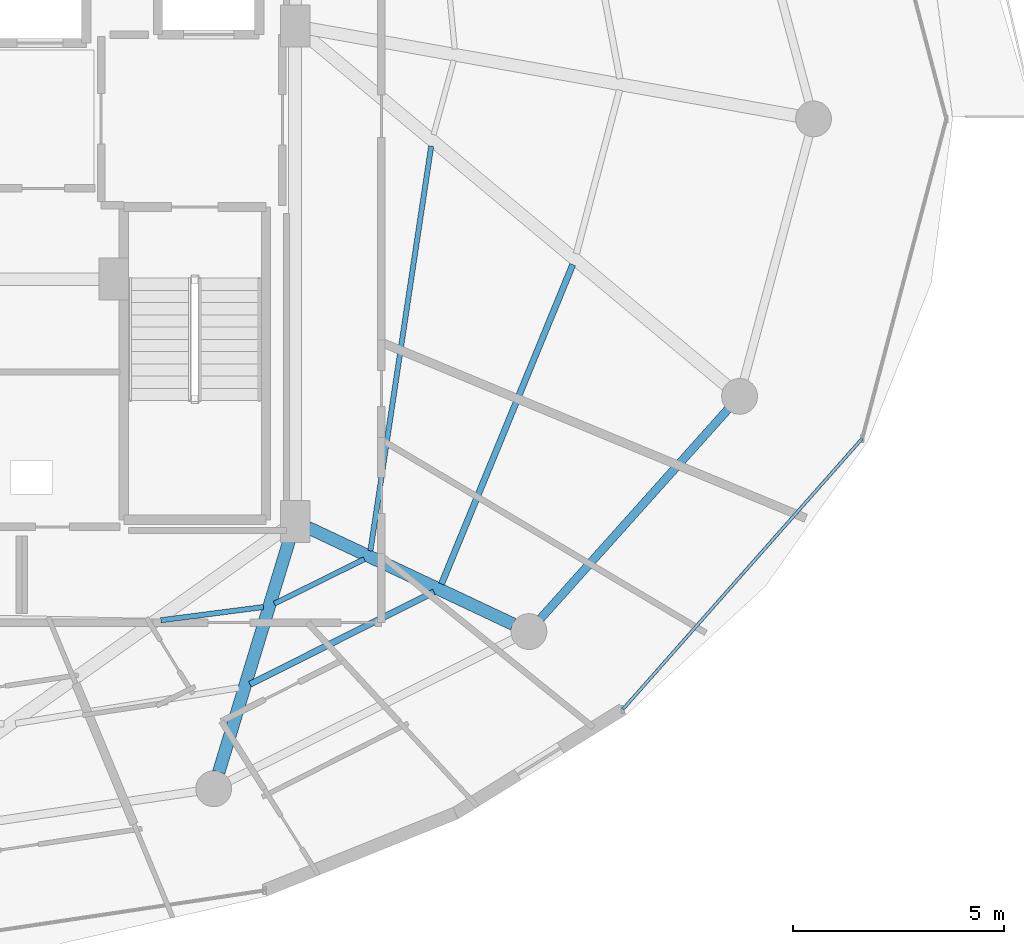
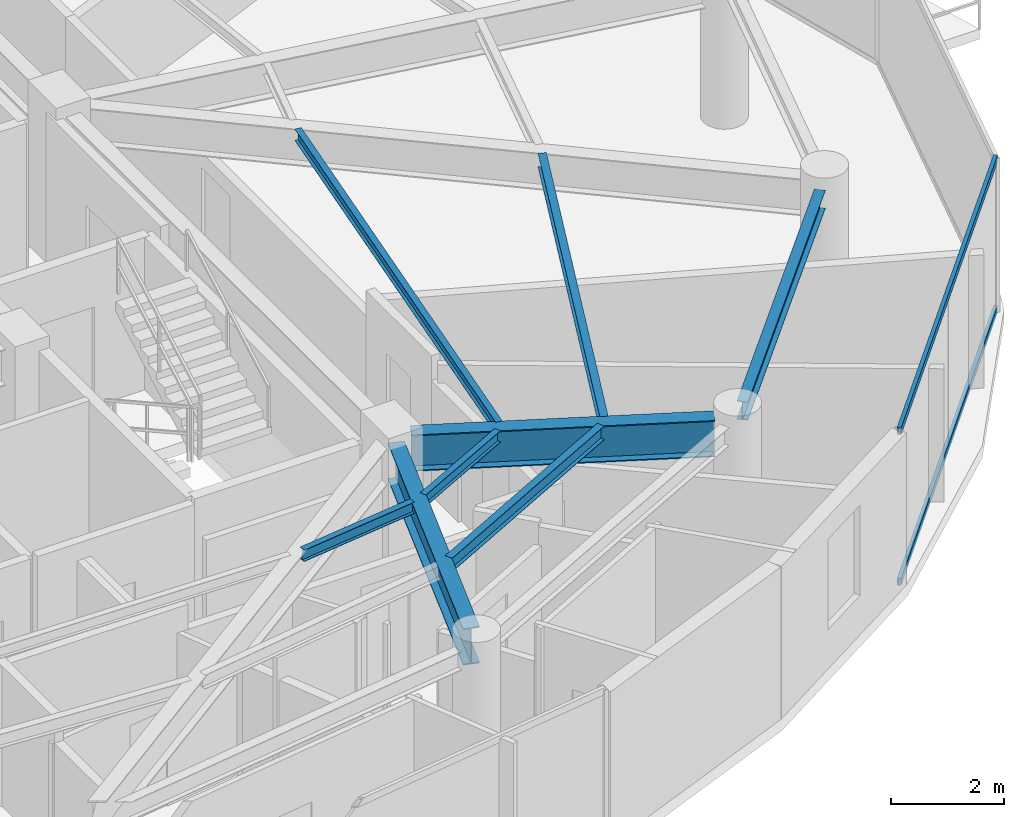
# One storey, part 12 of 31: 8 beams, 2 members, 1 element without a shape of its own.
"""IFC4 building model written with IfcOpenShell, lengths in metres."""

import ifcopenshell
import ifcopenshell.guid

model = None  # the IFC model being written
_history = None  # IfcOwnerHistory: only IFC2X3 demands one
_inside = {}  # id of a spatial element -> (the spatial element, [elements in it])
_under = {}  # id of a project, library or spatial element -> (it, [spatial elements below it])
_declared = {}  # id of a project -> (the project, [libraries it declares])
_typed = {}  # id of a type object -> (the type object, [elements of that type])
_made_of = {}  # id of a material, layer set ... -> (it, [elements and type objects made of it])


def new_model(schema):
    """Start an empty IFC model of exactly this schema.

    Asked for "IFC4X3", IfcOpenShell would pick the latest addendum, in which some entities
    have other attributes; the version numbers below select the first issue.
    IFC2X3 requires an IfcOwnerHistory on every rooted entity: one is made here for all.
    """
    global model, _history
    if schema == "IFC4X3":
        model = ifcopenshell.file(schema_version=(4, 3, 0, 0))
    else:
        model = ifcopenshell.file(schema=schema)
    _inside.clear()
    _under.clear()
    _declared.clear()
    _typed.clear()
    _made_of.clear()
    _history = None
    if model.schema == "IFC2X3":
        org = make("IfcOrganization", Name="unknown")
        user = make(
            "IfcPersonAndOrganization",
            ThePerson=make("IfcPerson", FamilyName="unknown"),
            TheOrganization=org,
        )
        app = make(
            "IfcApplication",
            ApplicationDeveloper=org,
            Version="unknown",
            ApplicationFullName="unknown",
            ApplicationIdentifier="unknown",
        )
        _history = make(
            "IfcOwnerHistory",
            OwningUser=user,
            OwningApplication=app,
            ChangeAction="ADDED",
            CreationDate=0,
        )
    return model


def make(cls, **values):
    """One entity of the class cls with the attributes given. An attribute that is None is left unset."""
    return model.create_entity(
        cls, **{name: value for name, value in values.items() if value is not None}
    )


def rooted(cls, **values):
    """An entity with a GlobalId (a new one), such as an element, a storey or a relation."""
    return make(cls, GlobalId=ifcopenshell.guid.new(), OwnerHistory=_history, **values)


def si_unit(unit_type, name, prefix=None):
    """IfcSIUnit, for example si_unit("LENGTHUNIT", "METRE", prefix="MILLI")."""
    return make("IfcSIUnit", UnitType=unit_type, Prefix=prefix, Name=name)


def assignment(units):
    """IfcUnitAssignment: the units of a project."""
    return None if units is None else make("IfcUnitAssignment", Units=units)


def point(xyz):
    """IfcCartesianPoint."""
    return None if xyz is None else make("IfcCartesianPoint", Coordinates=xyz)


def direction(xyz):
    """IfcDirection."""
    return None if xyz is None else make("IfcDirection", DirectionRatios=xyz)


def frame(location, z_axis=None, x_axis=None):
    """IfcAxis2Placement3D, a coordinate frame: its origin and axes. An axis left out is left unset."""
    return make(
        "IfcAxis2Placement3D",
        Location=point(location),
        Axis=direction(z_axis),
        RefDirection=direction(x_axis),
    )


def frame_2d(location, x_axis=None):
    """IfcAxis2Placement2D, a coordinate frame in the plane: its origin and x axis."""
    return make(
        "IfcAxis2Placement2D", Location=point(location), RefDirection=direction(x_axis)
    )


def origin():
    """The frame at (0, 0, 0) with its axes left unset."""
    return frame((0.0, 0.0, 0.0))


def origin_2d():
    """The frame at (0, 0) in the plane with its x axis left unset."""
    return frame_2d((0.0, 0.0))


def place(relative_to, where):
    """IfcLocalPlacement: puts the frame where relative to a parent placement (None: the world)."""
    return make(
        "IfcLocalPlacement", PlacementRelTo=relative_to, RelativePlacement=where
    )


def context(
    kind, dimensions, precision=None, world=None, true_north=None, identifier=None
):
    """IfcGeometricRepresentationContext, for example the 3D "Model" context."""
    return make(
        "IfcGeometricRepresentationContext",
        ContextIdentifier=identifier,
        ContextType=kind,
        CoordinateSpaceDimension=dimensions,
        Precision=precision,
        WorldCoordinateSystem=world,
        TrueNorth=true_north,
    )


def subcontext(parent, identifier, kind, view, scale=None):
    """IfcGeometricRepresentationSubContext, for example "Body" below "Model"."""
    return make(
        "IfcGeometricRepresentationSubContext",
        ContextIdentifier=identifier,
        ContextType=kind,
        ParentContext=parent,
        TargetScale=scale,
        TargetView=view,
    )


def project(units=None, contexts=None):
    """IfcProject with its units and contexts."""
    return rooted(
        "IfcProject",
        Name="project",
        RepresentationContexts=contexts,
        UnitsInContext=assignment(units),
    )


def spatial(cls, under=None, at=None, **own):
    """A site, building, storey or space (cls), placed at a placement, below another one or the project."""
    s = rooted(cls, ObjectPlacement=at, **own)
    if under is not None:
        _under.setdefault(under.id(), (under, []))[1].append(s)
    return s


def profile(cls, at=None, kind="AREA", **sizes):
    """A parametric profile (cls). Its sizes go by their IFC names, for example OverallWidth=200.0."""
    return make(cls, ProfileType=kind, Position=at, **sizes)


def hollow_rectangle(**sizes):
    """IfcRectangleHollowProfileDef."""
    return profile("IfcRectangleHollowProfileDef", **sizes)


def i_section(**sizes):
    """IfcIShapeProfileDef."""
    return profile("IfcIShapeProfileDef", **sizes)


def extrude(swept, where, along, depth):
    """IfcExtrudedAreaSolid: the profile swept, set in the frame where, extruded along a direction by depth."""
    return make(
        "IfcExtrudedAreaSolid",
        SweptArea=swept,
        Position=where,
        ExtrudedDirection=direction(along),
        Depth=depth,
    )


def shape(context_of_items, identifier, shape_type, items):
    """IfcShapeRepresentation: the items that make up one representation, for example the "Body"."""
    return make(
        "IfcShapeRepresentation",
        ContextOfItems=context_of_items,
        RepresentationIdentifier=identifier,
        RepresentationType=shape_type,
        Items=items,
    )


def material(Name=None, Category=None):
    """IfcMaterial."""
    return make("IfcMaterial", Name=Name, Category=Category)


def material_profile(
    of_material, cross_section, Name=None, Category=None, Priority=None
):
    """IfcMaterialProfile: a cross section and its material."""
    return make(
        "IfcMaterialProfile",
        Name=Name,
        Material=of_material,
        Profile=cross_section,
        Priority=Priority,
        Category=Category,
    )


def profile_set(profiles, Name=None, composite=None):
    """IfcMaterialProfileSet."""
    return make(
        "IfcMaterialProfileSet",
        Name=Name,
        MaterialProfiles=profiles,
        CompositeProfile=composite,
    )


def made_of(thing, what):
    """Note that an element or type object is made of a material, layer set ...; save() writes the relation."""
    if what is not None:
        _made_of.setdefault(what.id(), (what, []))[1].append(thing)
    return thing


def type_object(cls, material=None, **own):
    """A type object (cls), such as IfcWallType, which elements share."""
    return made_of(rooted(cls, **own), material)


def element(
    cls,
    number,
    at=None,
    inside=None,
    cuts=None,
    type_object=None,
    material=None,
    context=None,
    identifier="Body",
    shape_type=None,
    held_by="IfcProductDefinitionShape",
    body=None,
    shapes=None,
    **own,
):
    """One element of the class cls, such as IfcWall. Its Tag is "e" and its number.

    at: its placement. inside: the storey or other place that contains it. cuts: it is an
    opening in that element (IfcRelVoidsElement). A single representation is given by context,
    identifier, shape_type and body (its items); several are given by shapes. held_by: the class
    of the entity that holds the representations. save() writes the other relations.
    """
    e = rooted(cls, Tag="e%d" % number, ObjectPlacement=at, **own)
    if body is not None:
        shapes = [shape(context, identifier, shape_type, body)]
    if shapes is not None:
        e.Representation = make(held_by, Representations=shapes)
    if inside is not None:
        _inside.setdefault(inside.id(), (inside, []))[1].append(e)
    if cuts is not None:
        rooted(
            "IfcRelVoidsElement", RelatingBuildingElement=cuts, RelatedOpeningElement=e
        )
    if type_object is not None:
        _typed.setdefault(type_object.id(), (type_object, []))[1].append(e)
    return made_of(e, material)


def aggregate(whole, parts):
    """IfcRelAggregates: a whole, such as a stair, and the parts it consists of."""
    return rooted("IfcRelAggregates", RelatingObject=whole, RelatedObjects=parts)


def save(model, path):
    """Write the relations noted so far, then the file.

    IfcRelAggregates (storeys below a building ...), IfcRelContainedInSpatialStructure (elements
    in a storey), IfcRelDefinesByType, IfcRelAssociatesMaterial and IfcRelDeclares: one each for
    every whole, place, type object, material and project.
    """
    for whole, parts in _under.values():
        aggregate(whole, parts)
    for where, things in _inside.values():
        rooted(
            "IfcRelContainedInSpatialStructure",
            RelatedElements=things,
            RelatingStructure=where,
        )
    for kind, things in _typed.values():
        rooted("IfcRelDefinesByType", RelatedObjects=things, RelatingType=kind)
    for what, things in _made_of.values():
        rooted("IfcRelAssociatesMaterial", RelatedObjects=things, RelatingMaterial=what)
    for by, libraries in _declared.values():
        rooted("IfcRelDeclares", RelatingContext=by, RelatedDefinitions=libraries)
    model.write(path)


model = new_model("IFC4")

# Units and contexts
model_context = context("Model", 3, precision=1e-05, world=origin(), true_north=direction((0.0, 1.0)))
body_context = subcontext(model_context, "Body", "Model", "MODEL_VIEW")
ifc_project = project(units=[si_unit("LENGTHUNIT", "METRE"), si_unit("AREAUNIT", "SQUARE_METRE"), si_unit("VOLUMEUNIT", "CUBIC_METRE"), si_unit("PLANEANGLEUNIT", "RADIAN"), si_unit("MASSUNIT", "GRAM", prefix="KILO")], contexts=[model_context])

# Site, building, storey
site_placement = place(None, origin())
site = spatial("IfcSite", under=ifc_project, at=site_placement, CompositionType="ELEMENT")
building_placement = place(site_placement, origin())
building = spatial("IfcBuilding", under=site, at=building_placement, Name="Vorneva Point Tower", CompositionType="ELEMENT")
storey_placement = place(building_placement, frame((0.0, 0.0, 244.89990234375)))
storey = spatial("IfcBuildingStorey", under=building, at=storey_placement, Name="L66", CompositionType="ELEMENT", Elevation=244.89990234375)

# Beams
ifc_material_1 = material(Name="Steel S355", Category="steel")
ifc_material_profile_1 = material_profile(ifc_material_1, i_section(OverallWidth=0.300048828125, OverallDepth=0.7880859375, WebThickness=0.014404296875, FlangeThickness=0.02197265625, at=origin_2d()), Name="80Sh1")
ifc_profile_set_1 = profile_set([ifc_material_profile_1], Name="Steel S355")
beam_type_1 = type_object("IfcBeamType", Name="BM-GRD-80Sh1", PredefinedType="USERDEFINED", material=ifc_profile_set_1)
beam_1_placement = place(storey_placement, frame((46.941162109375, 10.50439453125, 2.89599609375), z_axis=(0.291032624293, 0.956713129207, 0.0), x_axis=(-0.956713129207, 0.291032624293, 0.0)))
element("IfcBeam", 1, at=beam_1_placement, inside=storey, type_object=beam_type_1, Name="L66 Radial Primary Girder 14", ObjectType="GIRDER", PredefinedType="USERDEFINED", context=body_context, shape_type="SweptSolid", body=[
    extrude(i_section(OverallWidth=0.300048828125, OverallDepth=0.7880859375, WebThickness=0.014404296875, FlangeThickness=0.02197265625, at=origin_2d()), origin(), (0.0, 0.0, 1.0), 5.874755859375),
])
beam_2_placement = place(storey_placement, frame((53.925048828125, 14.013671875, 2.89599609375), z_axis=(-0.904750812805, 0.425941271455, 0.0), x_axis=(-0.425941271455, -0.904750812805, 0.0)))
element("IfcBeam", 2, at=beam_2_placement, inside=storey, type_object=beam_type_1, Name="L66 Radial Primary Girder 15", ObjectType="GIRDER", PredefinedType="USERDEFINED", context=body_context, shape_type="SweptSolid", body=[
    extrude(i_section(OverallWidth=0.300048828125, OverallDepth=0.7880859375, WebThickness=0.014404296875, FlangeThickness=0.02197265625, at=origin_2d()), origin(), (0.0, 0.0, 1.0), 5.3798828125),
])
ifc_material_profile_2 = material_profile(ifc_material_1, i_section(OverallWidth=0.1240234375, OverallDepth=0.248046875, WebThickness=0.0048828125, FlangeThickness=0.008056640625, at=origin_2d()), Name="25B1")
ifc_profile_set_2 = profile_set([ifc_material_profile_2], Name="Steel S355")
beam_type_2 = type_object("IfcBeamType", Name="BM-JST-25B1", PredefinedType="JOIST", material=ifc_profile_set_2)
beam_3_placement = place(storey_placement, frame((45.56884765625, 14.106689453125, 3.166015625), z_axis=(0.991759516667, 0.128113469633, 0.0), x_axis=(-0.128113469633, 0.991759516667, 0.0)))
element("IfcBeam", 3, at=beam_3_placement, inside=storey, type_object=beam_type_2, Name="L66 Secondary Floor Beam 2.13", PredefinedType="JOIST", context=body_context, shape_type="SweptSolid", body=[
    extrude(i_section(OverallWidth=0.1240234375, OverallDepth=0.248046875, WebThickness=0.0048828125, FlangeThickness=0.008056640625, at=origin_2d()), origin(), (0.0, 0.0, 1.0), 2.45263671875),
])
beam_4_placement = place(storey_placement, frame((48.26171875, 14.5, 3.166015625), z_axis=(0.896082897708, 0.443886742803, 0.0), x_axis=(-0.443886742803, 0.896082897708, 0.0)))
element("IfcBeam", 4, at=beam_4_placement, inside=storey, type_object=beam_type_2, Name="L66 Secondary Floor Beam 2.14", PredefinedType="JOIST", context=body_context, shape_type="SweptSolid", body=[
    extrude(i_section(OverallWidth=0.1240234375, OverallDepth=0.248046875, WebThickness=0.0048828125, FlangeThickness=0.008056640625, at=origin_2d()), origin(), (0.0, 0.0, 1.0), 2.3798828125),
])
beam_5_placement = place(storey_placement, frame((50.538330078125, 15.754150390625, 3.166015625), z_axis=(0.148556856511, 0.98890386812, 0.0), x_axis=(-0.98890386812, 0.148556856511, 0.0)))
element("IfcBeam", 5, at=beam_5_placement, inside=storey, type_object=beam_type_2, Name="L66 Secondary Floor Beam 2.15", PredefinedType="JOIST", context=body_context, shape_type="SweptSolid", body=[
    extrude(i_section(OverallWidth=0.1240234375, OverallDepth=0.248046875, WebThickness=0.0048828125, FlangeThickness=0.008056640625, at=origin_2d()), origin(), (0.0, 0.0, 1.0), 9.709228515625),
])
ifc_material_profile_3 = material_profile(ifc_material_1, i_section(OverallWidth=0.14892578125, OverallDepth=0.298095703125, WebThickness=0.005615234375, FlangeThickness=0.008056640625, at=origin_2d()), Name="30B1")
ifc_profile_set_3 = profile_set([ifc_material_profile_3], Name="Steel S355")
beam_type_3 = type_object("IfcBeamType", Name="BM-JST-30B1", PredefinedType="JOIST", material=ifc_profile_set_3)
beam_6_placement = place(storey_placement, frame((47.68017578125, 12.589599609375, 3.14111328125), z_axis=(0.894207228659, 0.447653249975, 0.0), x_axis=(-0.447653249975, 0.894207228659, 0.0)))
element("IfcBeam", 6, at=beam_6_placement, inside=storey, type_object=beam_type_3, Name="L66 Secondary Floor Beam 1.14", PredefinedType="JOIST", context=body_context, shape_type="SweptSolid", body=[
    extrude(i_section(OverallWidth=0.14892578125, OverallDepth=0.298095703125, WebThickness=0.005615234375, FlangeThickness=0.008056640625, at=origin_2d()), origin(), (0.0, 0.0, 1.0), 4.885986328125),
])
beam_7_placement = place(storey_placement, frame((52.22509765625, 14.96630859375, 3.14111328125), z_axis=(0.380013584787, 0.924980905412, 0.0), x_axis=(-0.924980905412, 0.380013584787, 0.0)))
element("IfcBeam", 7, at=beam_7_placement, inside=storey, type_object=beam_type_3, Name="L66 Secondary Floor Beam 1.15", PredefinedType="JOIST", context=body_context, shape_type="SweptSolid", body=[
    extrude(i_section(OverallWidth=0.14892578125, OverallDepth=0.298095703125, WebThickness=0.005615234375, FlangeThickness=0.008056640625, at=origin_2d()), origin(), (0.0, 0.0, 1.0), 8.190673828125),
])
ifc_material_profile_4 = material_profile(ifc_material_1, i_section(OverallWidth=0.198974609375, OverallDepth=0.39599609375, WebThickness=0.007080078125, FlangeThickness=0.010986328125, at=origin_2d()), Name="40B1")
ifc_profile_set_4 = profile_set([ifc_material_profile_4], Name="Steel S355")
beam_type_4 = type_object("IfcBeamType", Name="BM-SPN-40B1", PredefinedType="SPANDREL", material=ifc_profile_set_4)
beam_8_placement = place(storey_placement, frame((54.572265625, 14.143310546875, 3.092041015625), z_axis=(0.667108282638, 0.744960763554, 0.0), x_axis=(-0.744960763554, 0.667108282638, 0.0)))
element("IfcBeam", 8, at=beam_8_placement, inside=storey, type_object=beam_type_4, Name="L66 Perimeter Spandrel Ring Beam 15", PredefinedType="SPANDREL", context=body_context, shape_type="SweptSolid", body=[
    extrude(i_section(OverallWidth=0.198974609375, OverallDepth=0.39599609375, WebThickness=0.007080078125, FlangeThickness=0.010986328125, at=origin_2d()), origin(), (0.0, 0.0, 1.0), 6.670166015625),
])

# Curtain wall, members
ifc_material_2 = material(Name="Pale anodised aluminium", Category="aluminium")
curtain_wall_type = type_object("IfcCurtainWallType", Name="CW-RES-SYS", PredefinedType="NOTDEFINED", material=ifc_material_2)
curtain_wall_placement = place(storey_placement, origin())
curtain_wall = element("IfcCurtainWall", 9, at=curtain_wall_placement, inside=storey, type_object=curtain_wall_type, Name="L66 Unitised Curtain Wall CW-L66-R01", PredefinedType="NOTDEFINED")
ifc_material_profile_5 = material_profile(ifc_material_2, hollow_rectangle(XDim=0.074951171875, YDim=0.14990234375, WallThickness=0.00390625, at=origin_2d()), Name="AL-TRN 150x75x4")
ifc_profile_set_5 = profile_set([ifc_material_profile_5], Name="Pale anodised aluminium")
member_type = type_object("IfcMemberType", Name="CW-TRN-150", PredefinedType="USERDEFINED", material=ifc_profile_set_5)
member_1_placement = place(storey_placement, frame((56.526123046875, 11.9921875, 0.02001953125), z_axis=(0.662196681357, 0.74933007093, 0.0), x_axis=(-0.74933007093, 0.662196681357, 0.0)))
member_1 = element("IfcMember", 10, at=member_1_placement, type_object=member_type, Name="CW-L66-R01 Transom 01.1", ObjectType="TRANSOM", PredefinedType="USERDEFINED", context=body_context, shape_type="SweptSolid", body=[
    extrude(hollow_rectangle(XDim=0.074951171875, YDim=0.14990234375, WallThickness=0.00390625, at=origin_2d()), origin(), (0.0, 0.0, 1.0), 8.57666015625),
])
member_2_placement = place(storey_placement, frame((56.526123046875, 11.9921875, 3.27001953125), z_axis=(0.662196681357, 0.74933007093, 0.0), x_axis=(-0.74933007093, 0.662196681357, 0.0)))
member_2 = element("IfcMember", 11, at=member_2_placement, type_object=member_type, Name="CW-L66-R01 Transom 01.2", ObjectType="TRANSOM", PredefinedType="USERDEFINED", context=body_context, shape_type="SweptSolid", body=[
    extrude(hollow_rectangle(XDim=0.074951171875, YDim=0.14990234375, WallThickness=0.00390625, at=origin_2d()), origin(), (0.0, 0.0, 1.0), 8.57666015625),
])
aggregate(curtain_wall, [member_1, member_2])

save(model, "model.ifc")
